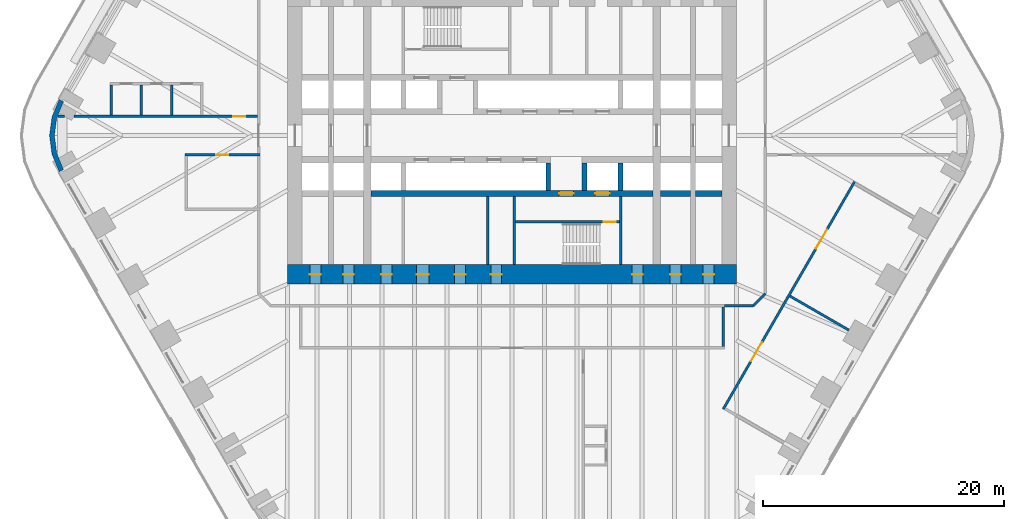
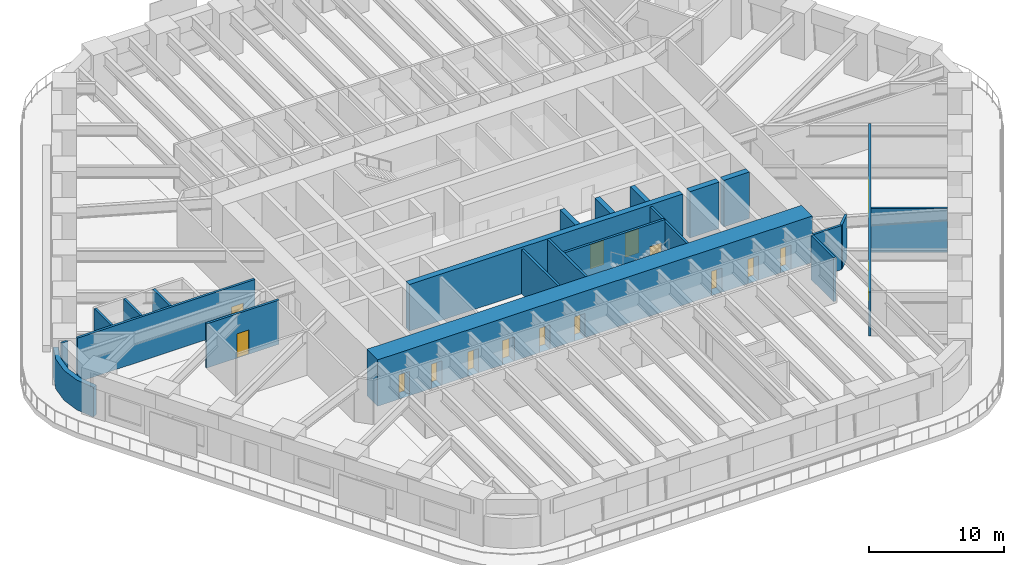
# One storey, part 17 of 23: 23 walls, 16 doors, 16 openings.
"""IFC4 building model written with IfcOpenShell, lengths in metres."""

from ifc_helpers import new_model, si_unit, direction, frame, frame_2d, origin, place, context, subcontext, project, spatial, polyline, rectangle, outline, extrude, material, layer, layer_set, type_object, element, fill, save


model = new_model("IFC4")

# Units and contexts
model_context = context("Model", 3, precision=1e-05, world=origin(), true_north=direction((0.0, 1.0)))
body_context = subcontext(model_context, "Body", "Model", "MODEL_VIEW")
ifc_project = project(units=[si_unit("LENGTHUNIT", "METRE"), si_unit("AREAUNIT", "SQUARE_METRE"), si_unit("VOLUMEUNIT", "CUBIC_METRE"), si_unit("PLANEANGLEUNIT", "RADIAN"), si_unit("MASSUNIT", "GRAM", prefix="KILO")], contexts=[model_context])

# Site, building, storey
site_placement = place(None, origin())
site = spatial("IfcSite", under=ifc_project, at=site_placement, CompositionType="ELEMENT")
building_placement = place(site_placement, origin())
building = spatial("IfcBuilding", under=site, at=building_placement, Name="Tarfa Lantern Tower", CompositionType="ELEMENT")
storey_placement = place(building_placement, frame((0.0, 0.0, 61.300048828125)))
storey = spatial("IfcBuildingStorey", under=building, at=storey_placement, Name="L13", CompositionType="ELEMENT", Elevation=61.300048828125)

# Walls
ifc_material_1 = material(Name="Limestone cladding on blockwork", Category="masonry")
ifc_layer_1 = layer(ifc_material_1, 0.39990234375)
ifc_layer_set_1 = layer_set([ifc_layer_1], Name="EW2 CURVED STONE CORNER 400")
wall_type_1 = type_object("IfcWallType", Name="EW2 CURVED STONE CORNER 400", PredefinedType="SOLIDWALL", material=ifc_layer_set_1)
wall_1_placement = place(storey_placement, origin())
element("IfcWall", 1, at=wall_1_placement, inside=storey, type_object=wall_type_1, Name="Stone corner NW-SW", PredefinedType="SOLIDWALL", context=body_context, shape_type="SweptSolid", body=[
    extrude(outline(polyline([(-37.52783203125, 3.0), (-38.127197265625, 1.552978515625), (-38.33154296875, 0.0), (-38.127197265625, -1.552978515625), (-37.52783203125, -3.0), (-37.181396484375, -2.800048828125), (-37.74072265625, -1.449462890625), (-37.931640625, 0.0), (-37.74072265625, 1.449462890625), (-37.181396484375, 2.800048828125), (-37.52783203125, 3.0)])), origin(), (0.0, 0.0, 1.0), 2.699951171875),
])
ifc_material_2 = material(Name="Concrete blockwork", Category="masonry")
ifc_layer_2 = layer(ifc_material_2, 0.199951171875)
ifc_layer_set_2 = layer_set([ifc_layer_2], Name="IW1 BLOCKWORK PARTITION 200 EI 120")
wall_type_2 = type_object("IfcWallType", Name="IW1 BLOCKWORK PARTITION 200 EI 120", PredefinedType="PARTITIONING", material=ifc_layer_set_2)
for number, where, z_axis, x_axis, name in (
    (2, (9.0, -5.050048828125, 0.0), (0.0, 0.0, 1.0), (0.0, -1.0, 0.0), "Core partition"),
    (3, (-2.0, -5.050048828125, 0.0), (0.0, 0.0, 1.0), (0.0, -1.0, 0.0), "Core partition"),
):
    element("IfcWall", number, at=place(storey_placement, frame(where, z_axis=z_axis, x_axis=x_axis)), inside=storey, type_object=wall_type_2, Name=name, PredefinedType="PARTITIONING", context=body_context, shape_type="SweptSolid", body=[
        extrude(rectangle(XDim=5.64990234375, YDim=0.199951171875, at=frame_2d((2.824951171875, 0.0))), origin(), (0.0, 0.0, 1.0), 4.0),
    ])
ifc_material_3 = material(Name="Gypsum board on steel studs", Category="steel")
ifc_layer_3 = layer(ifc_material_3, 0.2099609375)
ifc_layer_set_3 = layer_set([ifc_layer_3], Name="IW2 ACOUSTIC PARTITION 200")
wall_type_3 = type_object("IfcWallType", Name="IW2 ACOUSTIC PARTITION 200", PredefinedType="PARTITIONING", material=ifc_layer_set_3)
wall_2_placement = place(storey_placement, frame((17.5, -14.199951171875, 0.0), z_axis=(0.0, 0.0, 1.0), x_axis=(0.0, -1.0, 0.0)))
element("IfcWall", 4, at=wall_2_placement, inside=storey, type_object=wall_type_3, Name="Partition", PredefinedType="PARTITIONING", context=body_context, shape_type="SweptSolid", body=[
    extrude(rectangle(XDim=3.300048828125, YDim=0.199951171875, at=frame_2d((1.64990234375, 0.0))), origin(), (0.0, 0.0, 1.0), 4.0),
])

# Wall, openings, doors
wall_3_placement = place(storey_placement, frame((17.510986328125, -22.669921875, 0.0), z_axis=(0.0, 0.0, 1.0), x_axis=(0.500000289772, 0.866025236485, 0.0)))
wall_3 = element("IfcWall", 5, at=wall_3_placement, inside=storey, type_object=wall_type_3, Name="Partition", PredefinedType="PARTITIONING", context=body_context, shape_type="SweptSolid", body=[
    extrude(rectangle(XDim=21.75439453125, YDim=0.199951171875, at=frame_2d((10.877197265625, 0.0))), origin(), (0.0, 0.0, 1.0), 4.0),
])
opening_1_placement = place(wall_3_placement, frame((4.588623046875, 0.0, 0.0)))
opening_1 = element("IfcOpeningElement", 6, at=opening_1_placement, cuts=wall_3, Name="Opening D30", PredefinedType="OPENING", context=body_context, shape_type="SweptSolid", body=[
    extrude(rectangle(XDim=1.800048828125, YDim=2.39990234375, at=frame_2d((0.89990234375, 1.199951171875))), frame((0.0, 0.10986328125, 0.0), z_axis=(0.0, -1.0, 0.0), x_axis=(1.0, 0.0, 0.0)), (0.0, 0.0, 1.0), 0.219970703125),
])
opening_2_placement = place(wall_3_placement, frame((15.36572265625, 0.0, 0.0)))
opening_2 = element("IfcOpeningElement", 7, at=opening_2_placement, cuts=wall_3, Name="Opening D31", PredefinedType="OPENING", context=body_context, shape_type="SweptSolid", body=[
    extrude(rectangle(XDim=1.800048828125, YDim=2.39990234375, at=frame_2d((0.89990234375, 1.199951171875))), frame((0.0, 0.10986328125, 0.0), z_axis=(0.0, -1.0, 0.0), x_axis=(1.0, 0.0, 0.0)), (0.0, 0.0, 1.0), 0.219970703125),
])
ifc_material_4 = material(Name="Timber door", Category="wood")
door_type_1 = type_object("IfcDoorType", Name="DR2 ROOM DOOR 1800x2400", OperationType="DOUBLE_DOOR_SINGLE_SWING", PredefinedType="DOOR", material=ifc_material_4)
door_1_placement = place(opening_1_placement, frame((1.800048828125, 0.0, 0.0), z_axis=(0.0, 0.0, 1.0), x_axis=(-1.0, 0.0, 0.0)))
door_1 = element("IfcDoor", 8, at=door_1_placement, inside=storey, type_object=door_type_1, Name="Project studio door", OperationType="DOUBLE_DOOR_SINGLE_SWING", OverallHeight=2.39990234375, OverallWidth=1.800048828125, PredefinedType="DOOR", context=body_context, shape_type="SweptSolid", body=[
    extrude(rectangle(XDim=1.800048828125, YDim=2.39990234375, at=frame_2d((0.89990234375, 1.199951171875))), frame((0.0, 0.02490234375, 0.0), z_axis=(0.0, -1.0, 0.0), x_axis=(1.0, 0.0, 0.0)), (0.0, 0.0, 1.0), 0.050048828125),
])
fill(opening_1, door_1)
door_2_placement = place(opening_2_placement, frame((1.800048828125, 0.0, 0.0), z_axis=(0.0, 0.0, 1.0), x_axis=(-1.0, 0.0, 0.0)))
door_2 = element("IfcDoor", 9, at=door_2_placement, inside=storey, type_object=door_type_1, Name="Project studio door", OperationType="DOUBLE_DOOR_SINGLE_SWING", OverallHeight=2.39990234375, OverallWidth=1.800048828125, PredefinedType="DOOR", context=body_context, shape_type="SweptSolid", body=[
    extrude(rectangle(XDim=1.800048828125, YDim=2.39990234375, at=frame_2d((0.89990234375, 1.199951171875))), frame((0.0, 0.02490234375, 0.0), z_axis=(0.0, -1.0, 0.0), x_axis=(1.0, 0.0, 0.0)), (0.0, 0.0, 1.0), 0.050048828125),
])
fill(opening_2, door_2)

# Wall
wall_4_placement = place(storey_placement, frame((23.036376953125, -13.300048828125, 0.0), z_axis=(0.0, 0.0, 1.0), x_axis=(0.866019355129, -0.500010476433, 0.0)))
element("IfcWall", 10, at=wall_4_placement, inside=storey, type_object=wall_type_3, Name="Partition", PredefinedType="PARTITIONING", context=body_context, shape_type="SweptSolid", body=[
    extrude(rectangle(XDim=5.64990234375, YDim=0.199951171875, at=frame_2d((2.824951171875, 0.0))), origin(), (0.0, 0.0, 1.0), 4.0),
])

# Wall, opening, door
wall_5_placement = place(storey_placement, frame((-20.89990234375, -1.60009765625, 0.0), z_axis=(0.0, 0.0, 1.0), x_axis=(-1.0, 0.0, 0.0)))
wall_5 = element("IfcWall", 11, at=wall_5_placement, inside=storey, type_object=wall_type_3, Name="Partition", PredefinedType="PARTITIONING", context=body_context, shape_type="SweptSolid", body=[
    extrude(rectangle(XDim=6.2001953125, YDim=0.199951171875, at=frame_2d((3.10009765625, 0.0))), origin(), (0.0, 0.0, 1.0), 4.0),
])
opening_3_placement = place(wall_5_placement, frame((2.60009765625, 0.0, 0.0)))
opening_3 = element("IfcOpeningElement", 12, at=opening_3_placement, cuts=wall_5, Name="Opening D32", PredefinedType="OPENING", context=body_context, shape_type="SweptSolid", body=[
    extrude(rectangle(XDim=1.0, YDim=2.199951171875, at=frame_2d((0.5, 1.10009765625))), frame((0.0, 0.10986328125, 0.0), z_axis=(0.0, -1.0, 0.0), x_axis=(1.0, 0.0, 0.0)), (0.0, 0.0, 1.0), 0.219970703125),
])
door_type_2 = type_object("IfcDoorType", Name="DR1 ROOM DOOR 1000x2200", OperationType="SINGLE_SWING_LEFT", PredefinedType="DOOR", material=ifc_material_4)
door_3_placement = place(opening_3_placement, origin())
door_3 = element("IfcDoor", 13, at=door_3_placement, inside=storey, type_object=door_type_2, Name="Pantry door", OperationType="SINGLE_SWING_RIGHT", OverallHeight=2.199951171875, OverallWidth=1.0, PredefinedType="DOOR", context=body_context, shape_type="SweptSolid", body=[
    extrude(rectangle(XDim=1.0, YDim=2.199951171875, at=frame_2d((0.5, 1.10009765625))), frame((0.0, 0.02490234375, 0.0), z_axis=(0.0, -1.0, 0.0), x_axis=(1.0, 0.0, 0.0)), (0.0, 0.0, 1.0), 0.050048828125),
])
fill(opening_3, door_3)

# Walls
wall_6_placement = place(storey_placement, frame((21.0, -13.10009765625, 0.0), z_axis=(0.0, 0.0, 1.0), x_axis=(-0.707106781187, -0.707106781187, 0.0)))
element("IfcWall", 14, at=wall_6_placement, inside=storey, type_object=wall_type_3, Name="Partition", PredefinedType="PARTITIONING", context=body_context, shape_type="SweptSolid", body=[
    extrude(rectangle(XDim=1.414306640625, YDim=0.199951171875, at=frame_2d((0.70703125, 0.0))), origin(), (0.0, 0.0, 1.0), 4.0),
])
wall_7_placement = place(storey_placement, frame((20.0, -14.10009765625, 0.0), z_axis=(0.0, 0.0, 1.0), x_axis=(-1.0, 0.0, 0.0)))
element("IfcWall", 15, at=wall_7_placement, inside=storey, type_object=wall_type_3, Name="Partition", PredefinedType="PARTITIONING", context=body_context, shape_type="SweptSolid", body=[
    extrude(rectangle(XDim=2.39990234375, YDim=0.199951171875, at=frame_2d((1.199951171875, 0.0))), origin(), (0.0, 0.0, 1.0), 4.0),
])

# Wall, opening, door
wall_8_placement = place(storey_placement, frame((-21.10009765625, 1.60009765625, 0.0), z_axis=(0.0, 0.0, 1.0), x_axis=(-1.0, 0.0, 0.0)))
wall_8 = element("IfcWall", 16, at=wall_8_placement, inside=storey, type_object=wall_type_3, Name="Partition", PredefinedType="PARTITIONING", context=body_context, shape_type="SweptSolid", body=[
    extrude(rectangle(XDim=15.21533203125, YDim=0.199951171875, at=frame_2d((7.607666015625, 0.0))), origin(), (0.0, 0.0, 1.0), 4.0),
])
opening_4_placement = place(wall_8_placement, frame((1.021484375, 0.0, 0.0)))
opening_4 = element("IfcOpeningElement", 17, at=opening_4_placement, cuts=wall_8, Name="Opening D48", PredefinedType="OPENING", context=body_context, shape_type="SweptSolid", body=[
    extrude(rectangle(XDim=1.0, YDim=2.199951171875, at=frame_2d((0.5, 1.10009765625))), frame((0.0, 0.10986328125, 0.0), z_axis=(0.0, -1.0, 0.0), x_axis=(1.0, 0.0, 0.0)), (0.0, 0.0, 1.0), 0.219970703125),
])
door_4_placement = place(opening_4_placement, origin())
door_4 = element("IfcDoor", 18, at=door_4_placement, inside=storey, type_object=door_type_2, Name="Zone door", OperationType="SINGLE_SWING_RIGHT", OverallHeight=2.199951171875, OverallWidth=1.0, PredefinedType="DOOR", context=body_context, shape_type="SweptSolid", body=[
    extrude(rectangle(XDim=1.0, YDim=2.199951171875, at=frame_2d((0.5, 1.10009765625))), frame((0.0, 0.02490234375, 0.0), z_axis=(0.0, -1.0, 0.0), x_axis=(1.0, 0.0, 0.0)), (0.0, 0.0, 1.0), 0.050048828125),
])
fill(opening_4, door_4)

# Walls
wall_9_placement = place(storey_placement, frame((-37.102783203125, 1.60009765625, 0.0), z_axis=(0.0, 0.0, 1.0), x_axis=(-1.0, 0.0, 0.0)))
element("IfcWall", 19, at=wall_9_placement, inside=storey, type_object=wall_type_3, Name="Partition", PredefinedType="PARTITIONING", context=body_context, shape_type="SweptSolid", body=[
    extrude(rectangle(XDim=0.534423828125, YDim=0.199951171875, at=frame_2d((0.26708984375, 0.0))), origin(), (0.0, 0.0, 1.0), 4.0),
])
for number, where, z_axis, x_axis, name in (
    (20, (-28.218505859375, 1.699951171875, 0.0), (0.0, 0.0, 1.0), (0.0, 1.0, 0.0), "Partition"),
    (21, (-30.718505859375, 1.699951171875, 0.0), (0.0, 0.0, 1.0), (0.0, 1.0, 0.0), "Partition"),
    (22, (-33.218505859375, 1.699951171875, 0.0), (0.0, 0.0, 1.0), (0.0, 1.0, 0.0), "Partition"),
):
    element("IfcWall", number, at=place(storey_placement, frame(where, z_axis=z_axis, x_axis=x_axis)), inside=storey, type_object=wall_type_3, Name=name, PredefinedType="PARTITIONING", context=body_context, shape_type="SweptSolid", body=[
        extrude(rectangle(XDim=2.5, YDim=0.199951171875, at=frame_2d((1.25, 0.0))), origin(), (0.0, 0.0, 1.0), 4.0),
    ])
ifc_material_5 = material(Name="Concrete C80/95", Category="concrete")
ifc_layer_4 = layer(ifc_material_5, 0.199951171875)
ifc_layer_set_4 = layer_set([ifc_layer_4], Name="SW12 CORE WALL 200")
wall_type_4 = type_object("IfcWallType", Name="SW12 CORE WALL 200", PredefinedType="SHEAR", material=ifc_layer_set_4)
wall_10_placement = place(storey_placement, frame((0.199951171875, -5.050048828125, 0.0), z_axis=(0.0, 0.0, 1.0), x_axis=(0.0, -1.0, 0.0)))
element("IfcWall", 23, at=wall_10_placement, inside=storey, type_object=wall_type_4, Name="Core wall stair shaft S", PredefinedType="SHEAR", context=body_context, shape_type="SweptSolid", body=[
    extrude(rectangle(XDim=5.64990234375, YDim=0.199951171875, at=frame_2d((2.824951171875, 0.0))), origin(), (0.0, 0.0, 1.0), 4.199951171875),
])

# Wall, opening, door
wall_11_placement = place(storey_placement, frame((8.89990234375, -7.14990234375, 0.0), z_axis=(0.0, 0.0, 1.0), x_axis=(-1.0, 0.0, 0.0)))
wall_11 = element("IfcWall", 24, at=wall_11_placement, inside=storey, type_object=wall_type_4, Name="Core wall stair partition S", PredefinedType="SHEAR", context=body_context, shape_type="SweptSolid", body=[
    extrude(rectangle(XDim=8.599853515625, YDim=0.199951171875, at=frame_2d((4.2998046875, 0.0))), origin(), (0.0, 0.0, 1.0), 4.199951171875),
])
opening_5_placement = place(wall_11_placement, frame((0.300048828125, 0.0, 0.0)))
opening_5 = element("IfcOpeningElement", 25, at=opening_5_placement, cuts=wall_11, Name="Opening D24", PredefinedType="OPENING", context=body_context, shape_type="SweptSolid", body=[
    extrude(rectangle(XDim=1.0, YDim=2.199951171875, at=frame_2d((0.5, 1.10009765625))), frame((0.0, 0.10986328125, 0.0), z_axis=(0.0, -1.0, 0.0), x_axis=(1.0, 0.0, 0.0)), (0.0, 0.0, 1.0), 0.219970703125),
])
ifc_material_6 = material(Name="Steel fire door", Category="steel")
door_type_3 = type_object("IfcDoorType", Name="DF2 STAIR DOOR 1000x2200", OperationType="SINGLE_SWING_LEFT", PredefinedType="DOOR", material=ifc_material_6)
door_5_placement = place(opening_5_placement, origin())
door_5 = element("IfcDoor", 26, at=door_5_placement, inside=storey, type_object=door_type_3, Name="Stair door", OperationType="SINGLE_SWING_RIGHT", OverallHeight=2.199951171875, OverallWidth=1.0, PredefinedType="DOOR", context=body_context, shape_type="SweptSolid", body=[
    extrude(rectangle(XDim=1.0, YDim=2.199951171875, at=frame_2d((0.5, 1.10009765625))), frame((0.0, 0.02490234375, 0.0), z_axis=(0.0, -1.0, 0.0), x_axis=(1.0, 0.0, 0.0)), (0.0, 0.0, 1.0), 0.050048828125),
])
fill(opening_5, door_5)

# Walls
ifc_layer_5 = layer(ifc_material_5, 0.5)
ifc_layer_set_5 = layer_set([ifc_layer_5], Name="SW5 CORE WALL 500")
wall_type_5 = type_object("IfcWallType", Name="SW5 CORE WALL 500", PredefinedType="SHEAR", material=ifc_layer_set_5)
wall_12_placement = place(storey_placement, frame((17.39990234375, -4.800048828125, 0.0), z_axis=(0.0, 0.0, 1.0), x_axis=(-1.0, 0.0, 0.0)))
element("IfcWall", 27, at=wall_12_placement, inside=storey, type_object=wall_type_5, Name="Core wall rear S", PredefinedType="SHEAR", context=body_context, shape_type="SweptSolid", body=[
    extrude(rectangle(XDim=2.199951171875, YDim=0.5, at=frame_2d((1.10009765625, 0.0))), origin(), (0.0, 0.0, 1.0), 4.199951171875),
])
wall_13_placement = place(storey_placement, frame((14.800048828125, -4.800048828125, 0.0), z_axis=(0.0, 0.0, 1.0), x_axis=(-1.0, 0.0, 0.0)))
element("IfcWall", 28, at=wall_13_placement, inside=storey, type_object=wall_type_5, Name="Core wall rear S", PredefinedType="SHEAR", context=body_context, shape_type="SweptSolid", body=[
    extrude(rectangle(XDim=2.5, YDim=0.5, at=frame_2d((1.25, 0.0))), origin(), (0.0, 0.0, 1.0), 4.199951171875),
])

# Wall, openings, doors
wall_14_placement = place(storey_placement, frame((11.699951171875, -4.800048828125, 0.0), z_axis=(0.0, 0.0, 1.0), x_axis=(-1.0, 0.0, 0.0)))
wall_14 = element("IfcWall", 29, at=wall_14_placement, inside=storey, type_object=wall_type_5, Name="Core wall rear S", PredefinedType="SHEAR", context=body_context, shape_type="SweptSolid", body=[
    extrude(rectangle(XDim=23.39990234375, YDim=0.5, at=frame_2d((11.699951171875, 0.0))), origin(), (0.0, 0.0, 1.0), 4.199951171875),
])
opening_6_placement = place(wall_14_placement, frame((6.60009765625, 0.0, 0.0)))
opening_6 = element("IfcOpeningElement", 30, at=opening_6_placement, cuts=wall_14, Name="Opening D14", PredefinedType="OPENING", context=body_context, shape_type="SweptSolid", body=[
    extrude(rectangle(XDim=1.199951171875, YDim=2.199951171875, at=frame_2d((0.60009765625, 1.10009765625))), frame((0.0, 0.260009765625, 0.0), z_axis=(0.0, -1.0, 0.0), x_axis=(1.0, 0.0, 0.0)), (0.0, 0.0, 1.0), 0.52001953125),
])
opening_7_placement = place(wall_14_placement, frame((3.60009765625, 0.0, 0.0)))
opening_7 = element("IfcOpeningElement", 31, at=opening_7_placement, cuts=wall_14, Name="Opening LD02", PredefinedType="OPENING", context=body_context, shape_type="SweptSolid", body=[
    extrude(rectangle(XDim=1.199951171875, YDim=2.199951171875, at=frame_2d((0.60009765625, 1.10009765625))), frame((0.0, 0.260009765625, 0.0), z_axis=(0.0, -1.0, 0.0), x_axis=(1.0, 0.0, 0.0)), (0.0, 0.0, 1.0), 0.52001953125),
])
door_type_4 = type_object("IfcDoorType", Name="DF1 FIREFIGHTING LOBBY DOOR 1200x2200", OperationType="SINGLE_SWING_LEFT", PredefinedType="DOOR", material=ifc_material_6)
door_6_placement = place(opening_6_placement, origin())
door_6 = element("IfcDoor", 32, at=door_6_placement, inside=storey, type_object=door_type_4, Name="Firefighting lobby door", OperationType="SINGLE_SWING_LEFT", OverallHeight=2.199951171875, OverallWidth=1.199951171875, PredefinedType="DOOR", context=body_context, shape_type="SweptSolid", body=[
    extrude(rectangle(XDim=1.199951171875, YDim=2.199951171875, at=frame_2d((0.60009765625, 1.10009765625))), frame((0.0, 0.02490234375, 0.0), z_axis=(0.0, -1.0, 0.0), x_axis=(1.0, 0.0, 0.0)), (0.0, 0.0, 1.0), 0.050048828125),
])
fill(opening_6, door_6)
ifc_material_7 = material(Name="Stainless steel lift door", Category="steel")
door_type_5 = type_object("IfcDoorType", Name="LD1 LIFT LANDING DOOR 1200x2200", OperationType="SLIDING_TO_LEFT", PredefinedType="DOOR", material=ifc_material_7)
door_7_placement = place(opening_7_placement, origin())
door_7 = element("IfcDoor", 33, at=door_7_placement, inside=storey, type_object=door_type_5, Name="Landing door FL2", OperationType="SLIDING_TO_LEFT", OverallHeight=2.199951171875, OverallWidth=1.199951171875, PredefinedType="DOOR", context=body_context, shape_type="SweptSolid", body=[
    extrude(rectangle(XDim=1.199951171875, YDim=2.199951171875, at=frame_2d((0.60009765625, 1.10009765625))), frame((0.0, 0.02490234375, 0.0), z_axis=(0.0, -1.0, 0.0), x_axis=(1.0, 0.0, 0.0)), (0.0, 0.0, 1.0), 0.050048828125),
])
fill(opening_7, door_7)

# Walls
ifc_layer_6 = layer(ifc_material_5, 0.39990234375)
ifc_layer_set_6 = layer_set([ifc_layer_6], Name="SW6 CORE WALL 400")
wall_type_6 = type_object("IfcWallType", Name="SW6 CORE WALL 400", PredefinedType="SHEAR", material=ifc_layer_set_6)
for number, where, z_axis, x_axis, name in (
    (34, (9.0, -2.25, 0.0), (0.0, 0.0, 1.0), (0.0, -1.0, 0.0), "Core wall divider S"),
    (35, (6.0, -2.25, 0.0), (0.0, 0.0, 1.0), (0.0, -1.0, 0.0), "Core wall divider S"),
    (36, (3.0, -2.25, 0.0), (0.0, 0.0, 1.0), (0.0, -1.0, 0.0), "Core wall divider S"),
):
    element("IfcWall", number, at=place(storey_placement, frame(where, z_axis=z_axis, x_axis=x_axis)), inside=storey, type_object=wall_type_6, Name=name, PredefinedType="SHEAR", context=body_context, shape_type="SweptSolid", body=[
        extrude(rectangle(XDim=2.300048828125, YDim=0.39990234375, at=frame_2d((1.14990234375, 0.0))), origin(), (0.0, 0.0, 1.0), 4.199951171875),
    ])

# Wall, openings, doors
ifc_layer_7 = layer(ifc_material_5, 1.60009765625)
ifc_layer_set_7 = layer_set([ifc_layer_7], Name="SW7 CORE WALL 1600")
wall_type_7 = type_object("IfcWallType", Name="SW7 CORE WALL 1600", PredefinedType="SHEAR", material=ifc_layer_set_7)
wall_15_placement = place(storey_placement, frame((18.60009765625, -11.5, 0.0), z_axis=(0.0, 0.0, 1.0), x_axis=(-1.0, 0.0, 0.0)))
wall_15 = element("IfcWall", 37, at=wall_15_placement, inside=storey, type_object=wall_type_7, Name="Core wall S", PredefinedType="SHEAR", context=body_context, shape_type="SweptSolid", body=[
    extrude(rectangle(XDim=37.2001953125, YDim=1.60009765625, at=frame_2d((18.60009765625, 0.0))), origin(), (0.0, 0.0, 1.0), 4.199951171875),
])
opening_8_placement = place(wall_15_placement, frame((19.449951171875, 0.0, 0.0)))
opening_8 = element("IfcOpeningElement", 38, at=opening_8_placement, cuts=wall_15, Name="Opening D18", PredefinedType="OPENING", context=body_context, shape_type="SweptSolid", body=[
    extrude(rectangle(XDim=0.89990234375, YDim=2.199951171875, at=frame_2d((0.449951171875, 1.10009765625))), frame((0.0, 0.81005859375, 0.0), z_axis=(0.0, -1.0, 0.0), x_axis=(1.0, 0.0, 0.0)), (0.0, 0.0, 1.0), 1.6201171875),
])
opening_9_placement = place(wall_15_placement, frame((22.449951171875, 0.0, 0.0)))
opening_9 = element("IfcOpeningElement", 39, at=opening_9_placement, cuts=wall_15, Name="Opening D20", PredefinedType="OPENING", context=body_context, shape_type="SweptSolid", body=[
    extrude(rectangle(XDim=0.89990234375, YDim=2.199951171875, at=frame_2d((0.449951171875, 1.10009765625))), frame((0.0, 0.81005859375, 0.0), z_axis=(0.0, -1.0, 0.0), x_axis=(1.0, 0.0, 0.0)), (0.0, 0.0, 1.0), 1.6201171875),
])
opening_10_placement = place(wall_15_placement, frame((25.5, 0.0, 0.0)))
opening_10 = element("IfcOpeningElement", 40, at=opening_10_placement, cuts=wall_15, Name="Opening D22", PredefinedType="OPENING", context=body_context, shape_type="SweptSolid", body=[
    extrude(rectangle(XDim=1.0, YDim=2.199951171875, at=frame_2d((0.5, 1.10009765625))), frame((0.0, 0.81005859375, 0.0), z_axis=(0.0, -1.0, 0.0), x_axis=(1.0, 0.0, 0.0)), (0.0, 0.0, 1.0), 1.6201171875),
])
opening_11_placement = place(wall_15_placement, frame((1.85009765625, 0.0, 0.0)))
opening_11 = element("IfcOpeningElement", 41, at=opening_11_placement, cuts=wall_15, Name="Opening D12", PredefinedType="OPENING", context=body_context, shape_type="SweptSolid", body=[
    extrude(rectangle(XDim=0.89990234375, YDim=2.199951171875, at=frame_2d((0.449951171875, 1.10009765625))), frame((0.0, 0.81005859375, 0.0), z_axis=(0.0, -1.0, 0.0), x_axis=(1.0, 0.0, 0.0)), (0.0, 0.0, 1.0), 1.6201171875),
])
opening_12_placement = place(wall_15_placement, frame((4.60009765625, 0.0, 0.0)))
opening_12 = element("IfcOpeningElement", 42, at=opening_12_placement, cuts=wall_15, Name="Opening D08", PredefinedType="OPENING", context=body_context, shape_type="SweptSolid", body=[
    extrude(rectangle(XDim=0.89990234375, YDim=2.199951171875, at=frame_2d((0.449951171875, 1.10009765625))), frame((0.0, 0.81005859375, 0.0), z_axis=(0.0, -1.0, 0.0), x_axis=(1.0, 0.0, 0.0)), (0.0, 0.0, 1.0), 1.6201171875),
])
opening_13_placement = place(wall_15_placement, frame((7.75, 0.0, 0.0)))
opening_13 = element("IfcOpeningElement", 43, at=opening_13_placement, cuts=wall_15, Name="Opening D10", PredefinedType="OPENING", context=body_context, shape_type="SweptSolid", body=[
    extrude(rectangle(XDim=0.89990234375, YDim=2.199951171875, at=frame_2d((0.449951171875, 1.10009765625))), frame((0.0, 0.81005859375, 0.0), z_axis=(0.0, -1.0, 0.0), x_axis=(1.0, 0.0, 0.0)), (0.0, 0.0, 1.0), 1.6201171875),
])
opening_14_placement = place(wall_15_placement, frame((28.550048828125, 0.0, 0.0)))
opening_14 = element("IfcOpeningElement", 44, at=opening_14_placement, cuts=wall_15, Name="Opening D06", PredefinedType="OPENING", context=body_context, shape_type="SweptSolid", body=[
    extrude(rectangle(XDim=0.89990234375, YDim=2.199951171875, at=frame_2d((0.449951171875, 1.10009765625))), frame((0.0, 0.81005859375, 0.0), z_axis=(0.0, -1.0, 0.0), x_axis=(1.0, 0.0, 0.0)), (0.0, 0.0, 1.0), 1.6201171875),
])
opening_15_placement = place(wall_15_placement, frame((31.699951171875, 0.0, 0.0)))
opening_15 = element("IfcOpeningElement", 45, at=opening_15_placement, cuts=wall_15, Name="Opening D02", PredefinedType="OPENING", context=body_context, shape_type="SweptSolid", body=[
    extrude(rectangle(XDim=0.89990234375, YDim=2.199951171875, at=frame_2d((0.449951171875, 1.10009765625))), frame((0.0, 0.81005859375, 0.0), z_axis=(0.0, -1.0, 0.0), x_axis=(1.0, 0.0, 0.0)), (0.0, 0.0, 1.0), 1.6201171875),
])
opening_16_placement = place(wall_15_placement, frame((34.449951171875, 0.0, 0.0)))
opening_16 = element("IfcOpeningElement", 46, at=opening_16_placement, cuts=wall_15, Name="Opening D04", PredefinedType="OPENING", context=body_context, shape_type="SweptSolid", body=[
    extrude(rectangle(XDim=0.89990234375, YDim=2.199951171875, at=frame_2d((0.449951171875, 1.10009765625))), frame((0.0, 0.81005859375, 0.0), z_axis=(0.0, -1.0, 0.0), x_axis=(1.0, 0.0, 0.0)), (0.0, 0.0, 1.0), 1.6201171875),
])
door_type_6 = type_object("IfcDoorType", Name="DF3 CORE ROOM DOOR 900x2200", OperationType="SINGLE_SWING_LEFT", PredefinedType="DOOR", material=ifc_material_6)
door_8_placement = place(opening_8_placement, frame((0.89990234375, 0.0, 0.0), z_axis=(0.0, 0.0, 1.0), x_axis=(-1.0, 0.0, 0.0)))
door_8 = element("IfcDoor", 47, at=door_8_placement, inside=storey, type_object=door_type_6, Name="Core door", OperationType="SINGLE_SWING_RIGHT", OverallHeight=2.199951171875, OverallWidth=0.89990234375, PredefinedType="DOOR", context=body_context, shape_type="SweptSolid", body=[
    extrude(rectangle(XDim=0.89990234375, YDim=2.199951171875, at=frame_2d((0.449951171875, 1.10009765625))), frame((0.0, 0.02490234375, 0.0), z_axis=(0.0, -1.0, 0.0), x_axis=(1.0, 0.0, 0.0)), (0.0, 0.0, 1.0), 0.050048828125),
])
fill(opening_8, door_8)
door_9_placement = place(opening_9_placement, frame((0.89990234375, 0.0, 0.0), z_axis=(0.0, 0.0, 1.0), x_axis=(-1.0, 0.0, 0.0)))
door_9 = element("IfcDoor", 48, at=door_9_placement, inside=storey, type_object=door_type_6, Name="Core door", OperationType="SINGLE_SWING_LEFT", OverallHeight=2.199951171875, OverallWidth=0.89990234375, PredefinedType="DOOR", context=body_context, shape_type="SweptSolid", body=[
    extrude(rectangle(XDim=0.89990234375, YDim=2.199951171875, at=frame_2d((0.449951171875, 1.10009765625))), frame((0.0, 0.02490234375, 0.0), z_axis=(0.0, -1.0, 0.0), x_axis=(1.0, 0.0, 0.0)), (0.0, 0.0, 1.0), 0.050048828125),
])
fill(opening_9, door_9)
door_type_7 = type_object("IfcDoorType", Name="DF4 CORE ROOM DOOR 1000x2200", OperationType="SINGLE_SWING_LEFT", PredefinedType="DOOR", material=ifc_material_6)
door_10_placement = place(opening_10_placement, frame((1.0, 0.0, 0.0), z_axis=(0.0, 0.0, 1.0), x_axis=(-1.0, 0.0, 0.0)))
door_10 = element("IfcDoor", 49, at=door_10_placement, inside=storey, type_object=door_type_7, Name="Core door", OperationType="SINGLE_SWING_RIGHT", OverallHeight=2.199951171875, OverallWidth=1.0, PredefinedType="DOOR", context=body_context, shape_type="SweptSolid", body=[
    extrude(rectangle(XDim=1.0, YDim=2.199951171875, at=frame_2d((0.5, 1.10009765625))), frame((0.0, 0.02490234375, 0.0), z_axis=(0.0, -1.0, 0.0), x_axis=(1.0, 0.0, 0.0)), (0.0, 0.0, 1.0), 0.050048828125),
])
fill(opening_10, door_10)
door_type_8 = type_object("IfcDoorType", Name="DF5 RISER DOOR 900x2200", OperationType="SINGLE_SWING_LEFT", PredefinedType="DOOR", material=ifc_material_6)
door_11_placement = place(opening_11_placement, frame((0.89990234375, 0.0, 0.0), z_axis=(0.0, 0.0, 1.0), x_axis=(-1.0, 0.0, 0.0)))
door_11 = element("IfcDoor", 50, at=door_11_placement, inside=storey, type_object=door_type_8, Name="Riser door", OperationType="SINGLE_SWING_LEFT", OverallHeight=2.199951171875, OverallWidth=0.89990234375, PredefinedType="DOOR", context=body_context, shape_type="SweptSolid", body=[
    extrude(rectangle(XDim=0.89990234375, YDim=2.199951171875, at=frame_2d((0.449951171875, 1.10009765625))), frame((0.0, 0.02490234375, 0.0), z_axis=(0.0, -1.0, 0.0), x_axis=(1.0, 0.0, 0.0)), (0.0, 0.0, 1.0), 0.050048828125),
])
fill(opening_11, door_11)
door_12_placement = place(opening_12_placement, frame((0.89990234375, 0.0, 0.0), z_axis=(0.0, 0.0, 1.0), x_axis=(-1.0, 0.0, 0.0)))
door_12 = element("IfcDoor", 51, at=door_12_placement, inside=storey, type_object=door_type_8, Name="Riser door", OperationType="SINGLE_SWING_LEFT", OverallHeight=2.199951171875, OverallWidth=0.89990234375, PredefinedType="DOOR", context=body_context, shape_type="SweptSolid", body=[
    extrude(rectangle(XDim=0.89990234375, YDim=2.199951171875, at=frame_2d((0.449951171875, 1.10009765625))), frame((0.0, 0.02490234375, 0.0), z_axis=(0.0, -1.0, 0.0), x_axis=(1.0, 0.0, 0.0)), (0.0, 0.0, 1.0), 0.050048828125),
])
fill(opening_12, door_12)
door_13_placement = place(opening_13_placement, frame((0.89990234375, 0.0, 0.0), z_axis=(0.0, 0.0, 1.0), x_axis=(-1.0, 0.0, 0.0)))
door_13 = element("IfcDoor", 52, at=door_13_placement, inside=storey, type_object=door_type_8, Name="Riser door", OperationType="SINGLE_SWING_LEFT", OverallHeight=2.199951171875, OverallWidth=0.89990234375, PredefinedType="DOOR", context=body_context, shape_type="SweptSolid", body=[
    extrude(rectangle(XDim=0.89990234375, YDim=2.199951171875, at=frame_2d((0.449951171875, 1.10009765625))), frame((0.0, 0.02490234375, 0.0), z_axis=(0.0, -1.0, 0.0), x_axis=(1.0, 0.0, 0.0)), (0.0, 0.0, 1.0), 0.050048828125),
])
fill(opening_13, door_13)
door_14_placement = place(opening_14_placement, frame((0.89990234375, 0.0, 0.0), z_axis=(0.0, 0.0, 1.0), x_axis=(-1.0, 0.0, 0.0)))
door_14 = element("IfcDoor", 53, at=door_14_placement, inside=storey, type_object=door_type_8, Name="Riser door", OperationType="SINGLE_SWING_RIGHT", OverallHeight=2.199951171875, OverallWidth=0.89990234375, PredefinedType="DOOR", context=body_context, shape_type="SweptSolid", body=[
    extrude(rectangle(XDim=0.89990234375, YDim=2.199951171875, at=frame_2d((0.449951171875, 1.10009765625))), frame((0.0, 0.02490234375, 0.0), z_axis=(0.0, -1.0, 0.0), x_axis=(1.0, 0.0, 0.0)), (0.0, 0.0, 1.0), 0.050048828125),
])
fill(opening_14, door_14)
door_15_placement = place(opening_15_placement, frame((0.89990234375, 0.0, 0.0), z_axis=(0.0, 0.0, 1.0), x_axis=(-1.0, 0.0, 0.0)))
door_15 = element("IfcDoor", 54, at=door_15_placement, inside=storey, type_object=door_type_8, Name="Riser door", OperationType="SINGLE_SWING_RIGHT", OverallHeight=2.199951171875, OverallWidth=0.89990234375, PredefinedType="DOOR", context=body_context, shape_type="SweptSolid", body=[
    extrude(rectangle(XDim=0.89990234375, YDim=2.199951171875, at=frame_2d((0.449951171875, 1.10009765625))), frame((0.0, 0.02490234375, 0.0), z_axis=(0.0, -1.0, 0.0), x_axis=(1.0, 0.0, 0.0)), (0.0, 0.0, 1.0), 0.050048828125),
])
fill(opening_15, door_15)
door_16_placement = place(opening_16_placement, frame((0.89990234375, 0.0, 0.0), z_axis=(0.0, 0.0, 1.0), x_axis=(-1.0, 0.0, 0.0)))
door_16 = element("IfcDoor", 55, at=door_16_placement, inside=storey, type_object=door_type_8, Name="Riser door", OperationType="SINGLE_SWING_RIGHT", OverallHeight=2.199951171875, OverallWidth=0.89990234375, PredefinedType="DOOR", context=body_context, shape_type="SweptSolid", body=[
    extrude(rectangle(XDim=0.89990234375, YDim=2.199951171875, at=frame_2d((0.449951171875, 1.10009765625))), frame((0.0, 0.02490234375, 0.0), z_axis=(0.0, -1.0, 0.0), x_axis=(1.0, 0.0, 0.0)), (0.0, 0.0, 1.0), 0.050048828125),
])
fill(opening_16, door_16)

save(model, "model.ifc")
